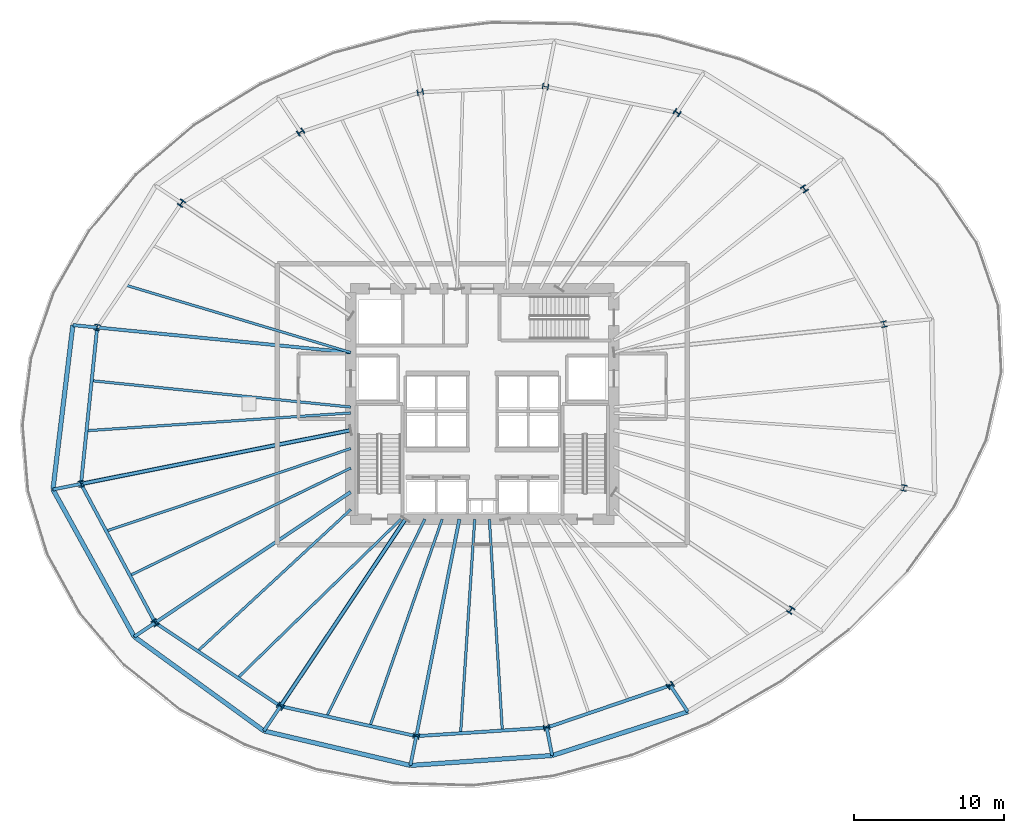
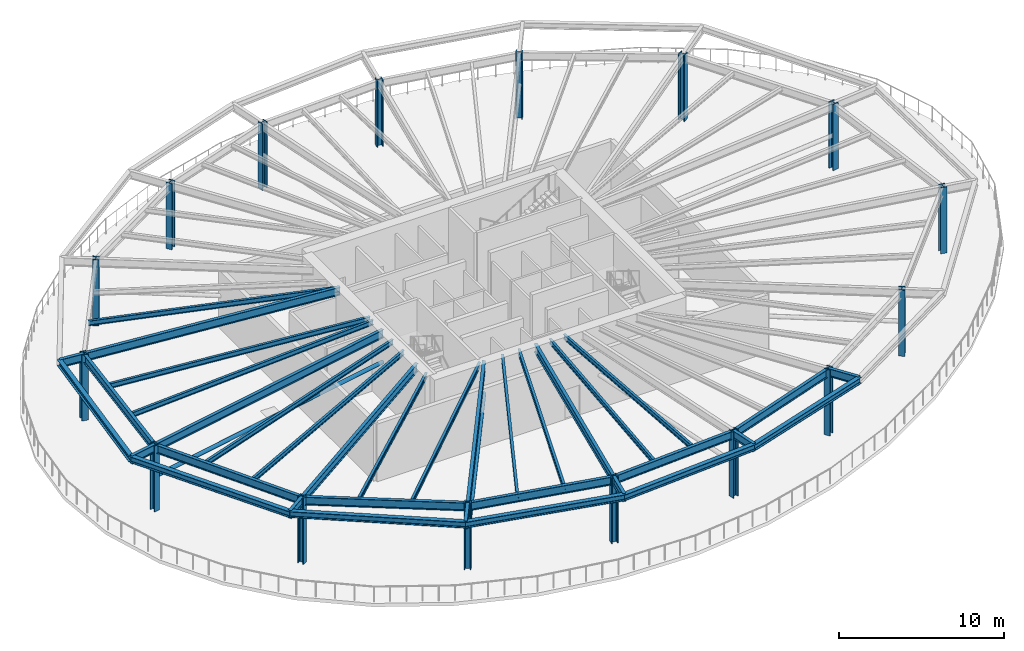
# One storey, part 1 of 9: 35 beams, 16 columns, 2 members.
"""IFC4 building model written with IfcOpenShell, lengths in metres."""

from ifc_helpers import new_model, si_unit, direction, frame, origin, origin_2d, place, context, subcontext, project, spatial, hollow_circle, i_section, extrude, source, transform, mapped, material, material_profile, profile_set, type_object, element, save


model = new_model("IFC4")

# Units and contexts
model_context = context("Model", 3, precision=1e-05, world=origin(), true_north=direction((0.0, 1.0)))
body_context = subcontext(model_context, "Body", "Model", "MODEL_VIEW")
ifc_project = project(units=[si_unit("LENGTHUNIT", "METRE"), si_unit("AREAUNIT", "SQUARE_METRE"), si_unit("VOLUMEUNIT", "CUBIC_METRE"), si_unit("PLANEANGLEUNIT", "RADIAN"), si_unit("MASSUNIT", "GRAM", prefix="KILO"), si_unit("THERMODYNAMICTEMPERATUREUNIT", "KELVIN")], contexts=[model_context])

# Site, building, storey
site_placement = place(None, origin())
site = spatial("IfcSite", under=ifc_project, at=site_placement, CompositionType="ELEMENT")
building_placement = place(site_placement, origin())
building = spatial("IfcBuilding", under=site, at=building_placement, Name="Kethvar Cultural Tower", CompositionType="ELEMENT")
storey_placement = place(building_placement, frame((0.0, 0.0, 75.199951171875)))
storey = spatial("IfcBuildingStorey", under=building, at=storey_placement, Name="L18", CompositionType="ELEMENT", Elevation=75.199951171875)

# Columns
ifc_material_1 = material(Name="Steel S460M", Category="steel")
ifc_material_profile_1 = material_profile(ifc_material_1, i_section(OverallWidth=0.412109375, OverallDepth=0.430908203125, WebThickness=0.0419921875, FlangeThickness=0.068115234375, FilletRadius=0.014892578125, at=origin_2d()), Name="Steel S460M — HD400x900")
ifc_profile_set_1 = profile_set([ifc_material_profile_1], Name="Steel S460M — HD400x900")
column_type = type_object("IfcColumnType", Name="COL-HD900", PredefinedType="COLUMN", material=ifc_profile_set_1)
shared_shape_1 = source(origin(), body_context, "Body", "SweptSolid", [
    extrude(i_section(OverallWidth=0.412109375, OverallDepth=0.430908203125, WebThickness=0.0419921875, FlangeThickness=0.068115234375, FilletRadius=0.014892578125, at=origin_2d()), origin(), (0.0, 0.0, 1.0), 4.89013671875),
])
for number, where, z_axis, x_axis, name in (
    (1, (73.65673828125, 33.14208984375, 0.0), (0.0, 0.0, 1.0), (0.980785280403, 0.195090322016, 0.0), "L18 Mega-Column MC-01"),
    (2, (68.33642578125, 42.190185546875, 0.0), (0.0, 0.0, 1.0), (0.831469612303, 0.55557023302, 0.0), "L18 Mega-Column MC-02"),
    (3, (59.824951171875, 47.293212890625, 0.0), (0.0, 0.0, 1.0), (0.55557023302, 0.831469612303, 0.0), "L18 Mega-Column MC-03"),
    (4, (51.022216796875, 49.02587890625, 0.0), (0.0, 0.0, 1.0), (0.195090322016, 0.980785280403, 0.0), "L18 Mega-Column MC-04"),
    (5, (42.651611328125, 48.65576171875, 0.0), (0.0, 0.0, 1.0), (-0.195090322016, 0.980785280403, 0.0), "L18 Mega-Column MC-05"),
    (6, (34.64599609375, 45.98974609375, 0.0), (0.0, 0.0, 1.0), (-0.55557023302, 0.831469612303, 0.0), "L18 Mega-Column MC-06"),
    (7, (26.6845703125, 41.24072265625, 0.0), (0.0, 0.0, 1.0), (-0.831469612303, 0.55557023302, 0.0), "L18 Mega-Column MC-07"),
    (8, (21.047119140625, 32.922607421875, 0.0), (0.0, 0.0, 1.0), (-0.980785280403, 0.195090322016, 0.0), "L18 Mega-Column MC-08"),
    (9, (19.9658203125, 22.46240234375, 0.0), (0.0, 0.0, 1.0), (-0.980785280403, -0.195090322016, 0.0), "L18 Mega-Column MC-09"),
    (10, (24.9248046875, 13.183349609375, 0.0), (0.0, 0.0, 1.0), (-0.831469612303, -0.55557023302, 0.0), "L18 Mega-Column MC-10"),
    (11, (33.302001953125, 7.598876953125, 0.0), (0.0, 0.0, 1.0), (-0.55557023302, -0.831469612303, 0.0), "L18 Mega-Column MC-11"),
    (12, (42.38330078125, 5.59619140625, 0.0), (0.0, 0.0, 1.0), (-0.195090322016, -0.980785280403, 0.0), "L18 Mega-Column MC-12"),
    (13, (51.10400390625, 6.16259765625, 0.0), (0.0, 0.0, 1.0), (0.195090322016, -0.980785280403, 0.0), "L18 Mega-Column MC-13"),
    (14, (59.370361328125, 8.987060546875, 0.0), (0.0, 0.0, 1.0), (0.55557023302, -0.831469612303, 0.0), "L18 Mega-Column MC-14"),
    (15, (67.41845703125, 14.023193359375, 0.0), (0.0, 0.0, 1.0), (0.831469612303, -0.55557023302, 0.0), "L18 Mega-Column MC-15"),
    (16, (74.9912109375, 22.1923828125, 0.0), (0.0, 0.0, 1.0), (0.980785280403, -0.195090322016, 0.0), "L18 Mega-Column MC-16"),
):
    element("IfcColumn", number, at=place(storey_placement, frame(where, z_axis=z_axis, x_axis=x_axis)), inside=storey, type_object=column_type, Name=name, PredefinedType="COLUMN", context=body_context, shape_type="MappedRepresentation", body=[
        mapped(shared_shape_1, transform((0.0, 0.0, 0.0), scale=1.0)),
    ])

# Beams
ifc_material_2 = material(Name="Steel S355J2", Category="steel")
ifc_material_profile_2 = material_profile(ifc_material_2, i_section(OverallWidth=0.219970703125, OverallDepth=0.60009765625, WebThickness=0.011962890625, FlangeThickness=0.01904296875, FilletRadius=0.02392578125, at=origin_2d()), Name="Steel S355J2 — IPE600")
ifc_profile_set_2 = profile_set([ifc_material_profile_2], Name="Steel S355J2 — IPE600")
beam_type_1 = type_object("IfcBeamType", Name="BM-IPE600", PredefinedType="BEAM", material=ifc_profile_set_2)
shared_shape_2 = source(origin(), body_context, "Body", "SweptSolid", [
    extrude(i_section(OverallWidth=0.219970703125, OverallDepth=0.60009765625, WebThickness=0.011962890625, FlangeThickness=0.01904296875, FilletRadius=0.02392578125, at=origin_2d()), origin(), (0.0, 0.0, 1.0), 17.03515625),
])
beam_1_placement = place(storey_placement, frame((38.0, 31.25, 4.588134765625), z_axis=(-0.995168138859, 0.098185413375, 0.0), x_axis=(-0.098185413375, -0.995168138859, 0.0)))
element("IfcBeam", 17, at=beam_1_placement, inside=storey, type_object=beam_type_1, Name="L18 Primary Radial Beam RB-08", PredefinedType="BEAM", context=body_context, shape_type="MappedRepresentation", body=[
    mapped(shared_shape_2, transform((0.0, 0.0, 0.0), scale=1.0)),
])
shared_shape_3 = source(origin(), body_context, "Body", "SweptSolid", [
    extrude(i_section(OverallWidth=0.219970703125, OverallDepth=0.60009765625, WebThickness=0.011962890625, FlangeThickness=0.01904296875, FilletRadius=0.02392578125, at=origin_2d()), origin(), (0.0, 0.0, 1.0), 18.387451171875),
])
beam_2_placement = place(storey_placement, frame((38.0, 26.049560546875, 4.588134765625), z_axis=(-0.980785937774, -0.195087017162, 0.0), x_axis=(0.195087017162, -0.980785937774, 0.0)))
element("IfcBeam", 18, at=beam_2_placement, inside=storey, type_object=beam_type_1, Name="L18 Primary Radial Beam RB-09", PredefinedType="BEAM", context=body_context, shape_type="MappedRepresentation", body=[
    mapped(shared_shape_3, transform((0.0, 0.0, 0.0), scale=1.0)),
])
shared_shape_4 = source(origin(), body_context, "Body", "SweptSolid", [
    extrude(i_section(OverallWidth=0.219970703125, OverallDepth=0.60009765625, WebThickness=0.011962890625, FlangeThickness=0.01904296875, FilletRadius=0.02392578125, at=origin_2d()), origin(), (0.0, 0.0, 1.0), 15.725341796875),
])
beam_3_placement = place(storey_placement, frame((38.0, 21.919921875, 4.588134765625), z_axis=(-0.831469433959, -0.555570499929, 0.0), x_axis=(0.555570499929, -0.831469433959, 0.0)))
element("IfcBeam", 19, at=beam_3_placement, inside=storey, type_object=beam_type_1, Name="L18 Primary Radial Beam RB-10", PredefinedType="BEAM", context=body_context, shape_type="MappedRepresentation", body=[
    mapped(shared_shape_4, transform((0.0, 0.0, 0.0), scale=1.0)),
])
shared_shape_5 = source(origin(), body_context, "Body", "SweptSolid", [
    extrude(i_section(OverallWidth=0.219970703125, OverallDepth=0.60009765625, WebThickness=0.011962890625, FlangeThickness=0.01904296875, FilletRadius=0.02392578125, at=origin_2d()), origin(), (0.0, 0.0, 1.0), 15.03515625),
])
beam_4_placement = place(storey_placement, frame((41.655029296875, 20.10009765625, 4.588134765625), z_axis=(-0.555569254616, -0.83147026605, 0.0), x_axis=(0.83147026605, -0.555569254616, 0.0)))
element("IfcBeam", 20, at=beam_4_placement, inside=storey, type_object=beam_type_1, Name="L18 Primary Radial Beam RB-11", PredefinedType="BEAM", context=body_context, shape_type="MappedRepresentation", body=[
    mapped(shared_shape_5, transform((0.0, 0.0, 0.0), scale=1.0)),
])
shared_shape_6 = source(origin(), body_context, "Body", "SweptSolid", [
    extrude(i_section(OverallWidth=0.219970703125, OverallDepth=0.60009765625, WebThickness=0.011962890625, FlangeThickness=0.01904296875, FilletRadius=0.02392578125, at=origin_2d()), origin(), (0.0, 0.0, 1.0), 14.7880859375),
])
beam_5_placement = place(storey_placement, frame((45.268310546875, 20.10009765625, 4.588134765625), z_axis=(-0.1950905456, -0.98078523593, 0.0), x_axis=(0.98078523593, -0.1950905456, 0.0)))
element("IfcBeam", 21, at=beam_5_placement, inside=storey, type_object=beam_type_1, Name="L18 Primary Radial Beam RB-12", PredefinedType="BEAM", context=body_context, shape_type="MappedRepresentation", body=[
    mapped(shared_shape_6, transform((0.0, 0.0, 0.0), scale=1.0)),
])
ifc_material_profile_3 = material_profile(ifc_material_2, i_section(OverallWidth=0.169921875, OverallDepth=0.360107421875, WebThickness=0.008056640625, FlangeThickness=0.0126953125, FilletRadius=0.01806640625, at=origin_2d()), Name="Steel S355J2 — IPE360")
ifc_profile_set_3 = profile_set([ifc_material_profile_3], Name="Steel S355J2 — IPE360")
beam_type_2 = type_object("IfcBeamType", Name="BM-J360", PredefinedType="JOIST", material=ifc_profile_set_3)
shared_shape_7 = source(origin(), body_context, "Body", "SweptSolid", [
    extrude(i_section(OverallWidth=0.169921875, OverallDepth=0.360107421875, WebThickness=0.008056640625, FlangeThickness=0.0126953125, FilletRadius=0.01806640625, at=origin_2d()), origin(), (0.0, 0.0, 1.0), 15.6953125),
])
beam_6_placement = place(storey_placement, frame((38.0, 31.25, 4.7080078125), z_axis=(-0.958003344758, 0.28675702508, 0.0), x_axis=(-0.28675702508, -0.958003344758, 0.0)))
element("IfcBeam", 22, at=beam_6_placement, inside=storey, type_object=beam_type_2, Name="L18 Composite Floor Joist J-07B", PredefinedType="JOIST", context=body_context, shape_type="MappedRepresentation", body=[
    mapped(shared_shape_7, transform((0.0, 0.0, 0.0), scale=1.0)),
])
shared_shape_8 = source(origin(), body_context, "Body", "SweptSolid", [
    extrude(i_section(OverallWidth=0.219970703125, OverallDepth=0.60009765625, WebThickness=0.011962890625, FlangeThickness=0.01904296875, FilletRadius=0.02392578125, at=origin_2d()), origin(), (0.0, 0.0, 1.0), 10.515869140625),
])
beam_7_placement = place(storey_placement, frame((21.047119140625, 32.922607421875, 4.588134765625), z_axis=(-0.102824694973, -0.994699493367, 0.0), x_axis=(0.994699493367, -0.102824694973, 0.0)))
element("IfcBeam", 23, at=beam_7_placement, inside=storey, type_object=beam_type_1, Name="L18 Column Ring Tie Beam CR-08", PredefinedType="BEAM", context=body_context, shape_type="MappedRepresentation", body=[
    mapped(shared_shape_8, transform((0.0, 0.0, 0.0), scale=1.0)),
])
shared_shape_9 = source(origin(), body_context, "Body", "SweptSolid", [
    extrude(i_section(OverallWidth=0.169921875, OverallDepth=0.360107421875, WebThickness=0.008056640625, FlangeThickness=0.0126953125, FilletRadius=0.01806640625, at=origin_2d()), origin(), (0.0, 0.0, 1.0), 17.410400390625),
])
beam_8_placement = place(storey_placement, frame((38.0, 27.60009765625, 4.7080078125), z_axis=(-0.99484162516, 0.101440331474, 0.0), x_axis=(-0.101440331474, -0.99484162516, 0.0)))
element("IfcBeam", 24, at=beam_8_placement, inside=storey, type_object=beam_type_2, Name="L18 Composite Floor Joist J-08A", PredefinedType="JOIST", context=body_context, shape_type="MappedRepresentation", body=[
    mapped(shared_shape_9, transform((0.0, 0.0, 0.0), scale=1.0)),
])
shared_shape_10 = source(origin(), body_context, "Body", "SweptSolid", [
    extrude(i_section(OverallWidth=0.169921875, OverallDepth=0.360107421875, WebThickness=0.008056640625, FlangeThickness=0.0126953125, FilletRadius=0.01806640625, at=origin_2d()), origin(), (0.0, 0.0, 1.0), 17.70654296875),
])
beam_9_placement = place(storey_placement, frame((38.0, 27.207763671875, 4.7080078125), z_axis=(-0.997742984455, -0.067148618533, 0.0), x_axis=(0.067148618533, -0.997742984455, 0.0)))
element("IfcBeam", 25, at=beam_9_placement, inside=storey, type_object=beam_type_2, Name="L18 Composite Floor Joist J-08B", PredefinedType="JOIST", context=body_context, shape_type="MappedRepresentation", body=[
    mapped(shared_shape_10, transform((0.0, 0.0, 0.0), scale=1.0)),
])
shared_shape_11 = source(origin(), body_context, "Body", "SweptSolid", [
    extrude(i_section(OverallWidth=0.219970703125, OverallDepth=0.60009765625, WebThickness=0.011962890625, FlangeThickness=0.01904296875, FilletRadius=0.02392578125, at=origin_2d()), origin(), (0.0, 0.0, 1.0), 10.52099609375),
])
beam_10_placement = place(storey_placement, frame((19.9658203125, 22.46240234375, 4.588134765625), z_axis=(0.471339616984, -0.881951793162, 0.0), x_axis=(0.881951793162, 0.471339616984, 0.0)))
element("IfcBeam", 26, at=beam_10_placement, inside=storey, type_object=beam_type_1, Name="L18 Column Ring Tie Beam CR-09", PredefinedType="BEAM", context=body_context, shape_type="MappedRepresentation", body=[
    mapped(shared_shape_11, transform((0.0, 0.0, 0.0), scale=1.0)),
])
shared_shape_12 = source(origin(), body_context, "Body", "SweptSolid", [
    extrude(i_section(OverallWidth=0.169921875, OverallDepth=0.360107421875, WebThickness=0.008056640625, FlangeThickness=0.0126953125, FilletRadius=0.01806640625, at=origin_2d()), origin(), (0.0, 0.0, 1.0), 17.255126953125),
])
beam_11_placement = place(storey_placement, frame((38.0, 24.828369140625, 4.7080078125), z_axis=(-0.947435140552, -0.319947893332, 0.0), x_axis=(0.319947893332, -0.947435140552, 0.0)))
element("IfcBeam", 27, at=beam_11_placement, inside=storey, type_object=beam_type_2, Name="L18 Composite Floor Joist J-09A", PredefinedType="JOIST", context=body_context, shape_type="MappedRepresentation", body=[
    mapped(shared_shape_12, transform((0.0, 0.0, 0.0), scale=1.0)),
])
shared_shape_13 = source(origin(), body_context, "Body", "SweptSolid", [
    extrude(i_section(OverallWidth=0.169921875, OverallDepth=0.360107421875, WebThickness=0.008056640625, FlangeThickness=0.0126953125, FilletRadius=0.01806640625, at=origin_2d()), origin(), (0.0, 0.0, 1.0), 16.4150390625),
])
beam_12_placement = place(storey_placement, frame((38.0, 23.51904296875, 4.7080078125), z_axis=(-0.899246473736, -0.437442315595, 0.0), x_axis=(0.437442315595, -0.899246473736, 0.0)))
element("IfcBeam", 28, at=beam_12_placement, inside=storey, type_object=beam_type_2, Name="L18 Composite Floor Joist J-09B", PredefinedType="JOIST", context=body_context, shape_type="MappedRepresentation", body=[
    mapped(shared_shape_13, transform((0.0, 0.0, 0.0), scale=1.0)),
])
shared_shape_14 = source(origin(), body_context, "Body", "SweptSolid", [
    extrude(i_section(OverallWidth=0.219970703125, OverallDepth=0.60009765625, WebThickness=0.011962890625, FlangeThickness=0.01904296875, FilletRadius=0.02392578125, at=origin_2d()), origin(), (0.0, 0.0, 1.0), 10.06787109375),
])
beam_13_placement = place(storey_placement, frame((24.9248046875, 13.183349609375, 4.588134765625), z_axis=(0.832065216665, -0.554677812083, 0.0), x_axis=(0.554677812083, 0.832065216665, 0.0)))
element("IfcBeam", 29, at=beam_13_placement, inside=storey, type_object=beam_type_1, Name="L18 Column Ring Tie Beam CR-10", PredefinedType="BEAM", context=body_context, shape_type="MappedRepresentation", body=[
    mapped(shared_shape_14, transform((0.0, 0.0, 0.0), scale=1.0)),
])
shared_shape_15 = source(origin(), body_context, "Body", "SweptSolid", [
    extrude(i_section(OverallWidth=0.169921875, OverallDepth=0.360107421875, WebThickness=0.008056640625, FlangeThickness=0.0126953125, FilletRadius=0.01806640625, at=origin_2d()), origin(), (0.0, 0.0, 1.0), 13.93505859375),
])
beam_14_placement = place(storey_placement, frame((38.0, 20.75, 4.7080078125), z_axis=(-0.733909459287, -0.679247308106, 0.0), x_axis=(0.679247308106, -0.733909459287, 0.0)))
element("IfcBeam", 30, at=beam_14_placement, inside=storey, type_object=beam_type_2, Name="L18 Composite Floor Joist J-10A", PredefinedType="JOIST", context=body_context, shape_type="MappedRepresentation", body=[
    mapped(shared_shape_15, transform((0.0, 0.0, 0.0), scale=1.0)),
])
shared_shape_16 = source(origin(), body_context, "Body", "SweptSolid", [
    extrude(i_section(OverallWidth=0.169921875, OverallDepth=0.360107421875, WebThickness=0.008056640625, FlangeThickness=0.0126953125, FilletRadius=0.01806640625, at=origin_2d()), origin(), (0.0, 0.0, 1.0), 15.20361328125),
])
beam_15_placement = place(storey_placement, frame((41.35009765625, 20.10009765625, 4.7080078125), z_axis=(-0.716707709325, -0.697373687053, 0.0), x_axis=(0.697373687053, -0.716707709325, 0.0)))
element("IfcBeam", 31, at=beam_15_placement, inside=storey, type_object=beam_type_2, Name="L18 Composite Floor Joist J-10B", PredefinedType="JOIST", context=body_context, shape_type="MappedRepresentation", body=[
    mapped(shared_shape_16, transform((0.0, 0.0, 0.0), scale=1.0)),
])
shared_shape_17 = source(origin(), body_context, "Body", "SweptSolid", [
    extrude(i_section(OverallWidth=0.219970703125, OverallDepth=0.60009765625, WebThickness=0.011962890625, FlangeThickness=0.01904296875, FilletRadius=0.02392578125, at=origin_2d()), origin(), (0.0, 0.0, 1.0), 9.299560546875),
])
beam_16_placement = place(storey_placement, frame((33.302001953125, 7.598876953125, 4.588134765625), z_axis=(0.976536034872, -0.21535406334, 0.0), x_axis=(0.21535406334, 0.976536034872, 0.0)))
element("IfcBeam", 32, at=beam_16_placement, inside=storey, type_object=beam_type_1, Name="L18 Column Ring Tie Beam CR-11", PredefinedType="BEAM", context=body_context, shape_type="MappedRepresentation", body=[
    mapped(shared_shape_17, transform((0.0, 0.0, 0.0), scale=1.0)),
])
shared_shape_18 = source(origin(), body_context, "Body", "SweptSolid", [
    extrude(i_section(OverallWidth=0.169921875, OverallDepth=0.360107421875, WebThickness=0.008056640625, FlangeThickness=0.0126953125, FilletRadius=0.01806640625, at=origin_2d()), origin(), (0.0, 0.0, 1.0), 14.729248046875),
])
beam_17_placement = place(storey_placement, frame((42.961181640625, 20.10009765625, 4.7080078125), z_axis=(-0.446152473361, -0.894956965733, 0.0), x_axis=(0.894956965733, -0.446152473361, 0.0)))
element("IfcBeam", 33, at=beam_17_placement, inside=storey, type_object=beam_type_2, Name="L18 Composite Floor Joist J-11A", PredefinedType="JOIST", context=body_context, shape_type="MappedRepresentation", body=[
    mapped(shared_shape_18, transform((0.0, 0.0, 0.0), scale=1.0)),
])
shared_shape_19 = source(origin(), body_context, "Body", "SweptSolid", [
    extrude(i_section(OverallWidth=0.169921875, OverallDepth=0.360107421875, WebThickness=0.008056640625, FlangeThickness=0.0126953125, FilletRadius=0.01806640625, at=origin_2d()), origin(), (0.0, 0.0, 1.0), 14.63916015625),
])
beam_18_placement = place(storey_placement, frame((44.115234375, 20.10009765625, 4.7080078125), z_axis=(-0.329226238223, -0.94425107046, 0.0), x_axis=(0.94425107046, -0.329226238223, 0.0)))
element("IfcBeam", 34, at=beam_18_placement, inside=storey, type_object=beam_type_2, Name="L18 Composite Floor Joist J-11B", PredefinedType="JOIST", context=body_context, shape_type="MappedRepresentation", body=[
    mapped(shared_shape_19, transform((0.0, 0.0, 0.0), scale=1.0)),
])
shared_shape_20 = source(origin(), body_context, "Body", "SweptSolid", [
    extrude(i_section(OverallWidth=0.219970703125, OverallDepth=0.60009765625, WebThickness=0.011962890625, FlangeThickness=0.01904296875, FilletRadius=0.02392578125, at=origin_2d()), origin(), (0.0, 0.0, 1.0), 8.739013671875),
])
beam_19_placement = place(storey_placement, frame((42.38330078125, 5.59619140625, 4.588134765625), z_axis=(0.997897424084, 0.064813046581, 0.0), x_axis=(-0.064813046581, 0.997897424084, 0.0)))
element("IfcBeam", 35, at=beam_19_placement, inside=storey, type_object=beam_type_1, Name="L18 Column Ring Tie Beam CR-12", PredefinedType="BEAM", context=body_context, shape_type="MappedRepresentation", body=[
    mapped(shared_shape_20, transform((0.0, 0.0, 0.0), scale=1.0)),
])
shared_shape_21 = source(origin(), body_context, "Body", "SweptSolid", [
    extrude(i_section(OverallWidth=0.169921875, OverallDepth=0.360107421875, WebThickness=0.008056640625, FlangeThickness=0.0126953125, FilletRadius=0.01806640625, at=origin_2d()), origin(), (0.0, 0.0, 1.0), 14.34228515625),
])
beam_20_placement = place(storey_placement, frame((46.292236328125, 20.10009765625, 4.7080078125), z_axis=(-0.065808348808, -0.997832281111, 0.0), x_axis=(0.997832281111, -0.065808348808, 0.0)))
element("IfcBeam", 36, at=beam_20_placement, inside=storey, type_object=beam_type_2, Name="L18 Composite Floor Joist J-12A", PredefinedType="JOIST", context=body_context, shape_type="MappedRepresentation", body=[
    mapped(shared_shape_21, transform((0.0, 0.0, 0.0), scale=1.0)),
])
shared_shape_22 = source(origin(), body_context, "Body", "SweptSolid", [
    extrude(i_section(OverallWidth=0.169921875, OverallDepth=0.360107421875, WebThickness=0.008056640625, FlangeThickness=0.0126953125, FilletRadius=0.01806640625, at=origin_2d()), origin(), (0.0, 0.0, 1.0), 14.156494140625),
])
beam_21_placement = place(storey_placement, frame((47.272216796875, 20.10009765625, 4.7080078125), z_axis=(0.06122296991, -0.998124114505, 0.0), x_axis=(0.998124114505, 0.06122296991, 0.0)))
element("IfcBeam", 37, at=beam_21_placement, inside=storey, type_object=beam_type_2, Name="L18 Composite Floor Joist J-12B", PredefinedType="JOIST", context=body_context, shape_type="MappedRepresentation", body=[
    mapped(shared_shape_22, transform((0.0, 0.0, 0.0), scale=1.0)),
])
shared_shape_23 = source(origin(), body_context, "Body", "SweptSolid", [
    extrude(i_section(OverallWidth=0.219970703125, OverallDepth=0.60009765625, WebThickness=0.011962890625, FlangeThickness=0.01904296875, FilletRadius=0.02392578125, at=origin_2d()), origin(), (0.0, 0.0, 1.0), 8.735595703125),
])
beam_22_placement = place(storey_placement, frame((51.10400390625, 6.16259765625, 4.588134765625), z_axis=(0.946286676119, 0.323328821171, 0.0), x_axis=(-0.323328821171, 0.946286676119, 0.0)))
element("IfcBeam", 38, at=beam_22_placement, inside=storey, type_object=beam_type_1, Name="L18 Column Ring Tie Beam CR-13", PredefinedType="BEAM", context=body_context, shape_type="MappedRepresentation", body=[
    mapped(shared_shape_23, transform((0.0, 0.0, 0.0), scale=1.0)),
])
shared_shape_24 = source(origin(), body_context, "Body", "SweptSolid", [
    extrude(i_section(OverallWidth=0.219970703125, OverallDepth=0.60009765625, WebThickness=0.011962890625, FlangeThickness=0.01904296875, FilletRadius=0.02392578125, at=origin_2d()), origin(), (0.0, 0.0, 1.0), 1.6328125),
])
beam_23_placement = place(storey_placement, frame((21.047119140625, 32.922607421875, 4.588134765625), z_axis=(-0.995163684551, 0.098230549992, 0.0), x_axis=(-0.098230549992, -0.995163684551, 0.0)))
element("IfcBeam", 39, at=beam_23_placement, inside=storey, type_object=beam_type_1, Name="L18 Perimeter Cantilever Beam RC-08", PredefinedType="BEAM", context=body_context, shape_type="MappedRepresentation", body=[
    mapped(shared_shape_24, transform((0.0, 0.0, 0.0), scale=1.0)),
])
shared_shape_25 = source(origin(), body_context, "Body", "SweptSolid", [
    extrude(i_section(OverallWidth=0.219970703125, OverallDepth=0.60009765625, WebThickness=0.011962890625, FlangeThickness=0.01904296875, FilletRadius=0.02392578125, at=origin_2d()), origin(), (0.0, 0.0, 1.0), 1.9130859375),
])
beam_24_placement = place(storey_placement, frame((19.9658203125, 22.46240234375, 4.588134765625), z_axis=(-0.980776526101, -0.195134327704, 0.0), x_axis=(0.195134327704, -0.980776526101, 0.0)))
element("IfcBeam", 40, at=beam_24_placement, inside=storey, type_object=beam_type_1, Name="L18 Perimeter Cantilever Beam RC-09", PredefinedType="BEAM", context=body_context, shape_type="MappedRepresentation", body=[
    mapped(shared_shape_25, transform((0.0, 0.0, 0.0), scale=1.0)),
])
shared_shape_26 = source(origin(), body_context, "Body", "SweptSolid", [
    extrude(i_section(OverallWidth=0.219970703125, OverallDepth=0.60009765625, WebThickness=0.011962890625, FlangeThickness=0.01904296875, FilletRadius=0.02392578125, at=origin_2d()), origin(), (0.0, 0.0, 1.0), 1.68359375),
])
beam_25_placement = place(storey_placement, frame((24.9248046875, 13.183349609375, 4.588134765625), z_axis=(-0.831492139761, -0.555536516816, 0.0), x_axis=(0.555536516816, -0.831492139761, 0.0)))
element("IfcBeam", 41, at=beam_25_placement, inside=storey, type_object=beam_type_1, Name="L18 Perimeter Cantilever Beam RC-10", PredefinedType="BEAM", context=body_context, shape_type="MappedRepresentation", body=[
    mapped(shared_shape_26, transform((0.0, 0.0, 0.0), scale=1.0)),
])
shared_shape_27 = source(origin(), body_context, "Body", "SweptSolid", [
    extrude(i_section(OverallWidth=0.219970703125, OverallDepth=0.60009765625, WebThickness=0.011962890625, FlangeThickness=0.01904296875, FilletRadius=0.02392578125, at=origin_2d()), origin(), (0.0, 0.0, 1.0), 1.98828125),
])
beam_26_placement = place(storey_placement, frame((33.302001953125, 7.598876953125, 4.588134765625), z_axis=(-0.555634956167, -0.831426362034, 0.0), x_axis=(0.831426362034, -0.555634956167, 0.0)))
element("IfcBeam", 42, at=beam_26_placement, inside=storey, type_object=beam_type_1, Name="L18 Perimeter Cantilever Beam RC-11", PredefinedType="BEAM", context=body_context, shape_type="MappedRepresentation", body=[
    mapped(shared_shape_27, transform((0.0, 0.0, 0.0), scale=1.0)),
])
shared_shape_28 = source(origin(), body_context, "Body", "SweptSolid", [
    extrude(i_section(OverallWidth=0.219970703125, OverallDepth=0.60009765625, WebThickness=0.011962890625, FlangeThickness=0.01904296875, FilletRadius=0.02392578125, at=origin_2d()), origin(), (0.0, 0.0, 1.0), 1.996337890625),
])
beam_27_placement = place(storey_placement, frame((42.38330078125, 5.59619140625, 4.588134765625), z_axis=(-0.195057714054, -0.980791765967, 0.0), x_axis=(0.980791765967, -0.195057714054, 0.0)))
element("IfcBeam", 43, at=beam_27_placement, inside=storey, type_object=beam_type_1, Name="L18 Perimeter Cantilever Beam RC-12", PredefinedType="BEAM", context=body_context, shape_type="MappedRepresentation", body=[
    mapped(shared_shape_28, transform((0.0, 0.0, 0.0), scale=1.0)),
])
shared_shape_29 = source(origin(), body_context, "Body", "SweptSolid", [
    extrude(i_section(OverallWidth=0.219970703125, OverallDepth=0.60009765625, WebThickness=0.011962890625, FlangeThickness=0.01904296875, FilletRadius=0.02392578125, at=origin_2d()), origin(), (0.0, 0.0, 1.0), 1.896240234375),
])
beam_28_placement = place(storey_placement, frame((51.10400390625, 6.16259765625, 4.588134765625), z_axis=(0.195051382654, -0.98079302512, 0.0), x_axis=(0.98079302512, 0.195051382654, 0.0)))
element("IfcBeam", 44, at=beam_28_placement, inside=storey, type_object=beam_type_1, Name="L18 Perimeter Cantilever Beam RC-13", PredefinedType="BEAM", context=body_context, shape_type="MappedRepresentation", body=[
    mapped(shared_shape_29, transform((0.0, 0.0, 0.0), scale=1.0)),
])
shared_shape_30 = source(origin(), body_context, "Body", "SweptSolid", [
    extrude(i_section(OverallWidth=0.219970703125, OverallDepth=0.60009765625, WebThickness=0.011962890625, FlangeThickness=0.01904296875, FilletRadius=0.02392578125, at=origin_2d()), origin(), (0.0, 0.0, 1.0), 2.1123046875),
])
beam_29_placement = place(storey_placement, frame((59.370361328125, 8.987060546875, 4.588134765625), z_axis=(0.555580051416, -0.831463051776, 0.0), x_axis=(0.831463051776, 0.555580051416, 0.0)))
element("IfcBeam", 45, at=beam_29_placement, inside=storey, type_object=beam_type_1, Name="L18 Perimeter Cantilever Beam RC-14", PredefinedType="BEAM", context=body_context, shape_type="MappedRepresentation", body=[
    mapped(shared_shape_30, transform((0.0, 0.0, 0.0), scale=1.0)),
])
ifc_material_profile_4 = material_profile(ifc_material_2, i_section(OverallWidth=0.300048828125, OverallDepth=0.449951171875, WebThickness=0.013916015625, FlangeThickness=0.02587890625, FilletRadius=0.027099609375, at=origin_2d()), Name="Steel S355J2 — HEB450")
ifc_profile_set_4 = profile_set([ifc_material_profile_4], Name="Steel S355J2 — HEB450")
beam_type_3 = type_object("IfcBeamType", Name="BM-SP450", PredefinedType="SPANDREL", material=ifc_profile_set_4)
shared_shape_31 = source(origin(), body_context, "Body", "SweptSolid", [
    extrude(i_section(OverallWidth=0.300048828125, OverallDepth=0.449951171875, WebThickness=0.013916015625, FlangeThickness=0.02587890625, FilletRadius=0.027099609375, at=origin_2d()), origin(), (0.0, 0.0, 1.0), 11.074462890625),
])
beam_30_placement = place(storey_placement, frame((19.422119140625, 33.0830078125, 4.6630859375), z_axis=(-0.120324783768, -0.992734580042, 0.0), x_axis=(0.992734580042, -0.120324783768, 0.0)))
element("IfcBeam", 46, at=beam_30_placement, inside=storey, type_object=beam_type_3, Name="L18 Perimeter Spandrel Beam SP-08", PredefinedType="SPANDREL", context=body_context, shape_type="MappedRepresentation", body=[
    mapped(shared_shape_31, transform((0.0, 0.0, 0.0), scale=1.0)),
])
shared_shape_32 = source(origin(), body_context, "Body", "SweptSolid", [
    extrude(i_section(OverallWidth=0.300048828125, OverallDepth=0.449951171875, WebThickness=0.013916015625, FlangeThickness=0.02587890625, FilletRadius=0.027099609375, at=origin_2d()), origin(), (0.0, 0.0, 1.0), 11.2421875),
])
beam_31_placement = place(storey_placement, frame((18.089599609375, 22.089111328125, 4.6630859375), z_axis=(0.483469394953, -0.875361264932, 0.0), x_axis=(0.875361264932, 0.483469394953, 0.0)))
element("IfcBeam", 47, at=beam_31_placement, inside=storey, type_object=beam_type_3, Name="L18 Perimeter Spandrel Beam SP-09", PredefinedType="SPANDREL", context=body_context, shape_type="MappedRepresentation", body=[
    mapped(shared_shape_32, transform((0.0, 0.0, 0.0), scale=1.0)),
])
shared_shape_33 = source(origin(), body_context, "Body", "SweptSolid", [
    extrude(i_section(OverallWidth=0.300048828125, OverallDepth=0.449951171875, WebThickness=0.013916015625, FlangeThickness=0.02587890625, FilletRadius=0.027099609375, at=origin_2d()), origin(), (0.0, 0.0, 1.0), 10.720458984375),
])
beam_32_placement = place(storey_placement, frame((23.52490234375, 12.248046875, 4.6630859375), z_axis=(0.808954652518, -0.58787104893, 0.0), x_axis=(0.58787104893, 0.808954652518, 0.0)))
element("IfcBeam", 48, at=beam_32_placement, inside=storey, type_object=beam_type_3, Name="L18 Perimeter Spandrel Beam SP-10", PredefinedType="SPANDREL", context=body_context, shape_type="MappedRepresentation", body=[
    mapped(shared_shape_33, transform((0.0, 0.0, 0.0), scale=1.0)),
])
shared_shape_34 = source(origin(), body_context, "Body", "SweptSolid", [
    extrude(i_section(OverallWidth=0.300048828125, OverallDepth=0.449951171875, WebThickness=0.013916015625, FlangeThickness=0.02587890625, FilletRadius=0.027099609375, at=origin_2d()), origin(), (0.0, 0.0, 1.0), 10.064697265625),
])
beam_33_placement = place(storey_placement, frame((32.197265625, 5.94580078125, 4.6630859375), z_axis=(0.973361149291, -0.2292772842, 0.0), x_axis=(0.2292772842, 0.973361149291, 0.0)))
element("IfcBeam", 49, at=beam_33_placement, inside=storey, type_object=beam_type_3, Name="L18 Perimeter Spandrel Beam SP-11", PredefinedType="SPANDREL", context=body_context, shape_type="MappedRepresentation", body=[
    mapped(shared_shape_34, transform((0.0, 0.0, 0.0), scale=1.0)),
])
shared_shape_35 = source(origin(), body_context, "Body", "SweptSolid", [
    extrude(i_section(OverallWidth=0.300048828125, OverallDepth=0.449951171875, WebThickness=0.013916015625, FlangeThickness=0.02587890625, FilletRadius=0.027099609375, at=origin_2d()), origin(), (0.0, 0.0, 1.0), 9.503173828125),
])
beam_34_placement = place(storey_placement, frame((41.993896484375, 3.63818359375, 4.6630859375), z_axis=(0.997551982922, 0.069928830737, 0.0), x_axis=(-0.069928830737, 0.997551982922, 0.0)))
element("IfcBeam", 50, at=beam_34_placement, inside=storey, type_object=beam_type_3, Name="L18 Perimeter Spandrel Beam SP-12", PredefinedType="SPANDREL", context=body_context, shape_type="MappedRepresentation", body=[
    mapped(shared_shape_35, transform((0.0, 0.0, 0.0), scale=1.0)),
])
shared_shape_36 = source(origin(), body_context, "Body", "SweptSolid", [
    extrude(i_section(OverallWidth=0.300048828125, OverallDepth=0.449951171875, WebThickness=0.013916015625, FlangeThickness=0.02587890625, FilletRadius=0.027099609375, at=origin_2d()), origin(), (0.0, 0.0, 1.0), 9.531005859375),
])
beam_35_placement = place(storey_placement, frame((51.473876953125, 4.302734375, 4.6630859375), z_axis=(0.951642685925, 0.307207093545, 0.0), x_axis=(-0.307207093545, 0.951642685925, 0.0)))
element("IfcBeam", 51, at=beam_35_placement, inside=storey, type_object=beam_type_3, Name="L18 Perimeter Spandrel Beam SP-13", PredefinedType="SPANDREL", context=body_context, shape_type="MappedRepresentation", body=[
    mapped(shared_shape_36, transform((0.0, 0.0, 0.0), scale=1.0)),
])

# Members
ifc_material_profile_5 = material_profile(ifc_material_2, hollow_circle(Radius=0.136474609375, WallThickness=0.012451171875, at=origin_2d()), Name="Steel S355J2 — CHS273x12.5")
ifc_profile_set_5 = profile_set([ifc_material_profile_5], Name="Steel S355J2 — CHS273x12.5")
member_type = type_object("IfcMemberType", Name="MB-WIND-STR", PredefinedType="STRUT", material=ifc_profile_set_5)
shared_shape_37 = source(origin(), body_context, "Body", "SweptSolid", [
    extrude(hollow_circle(Radius=0.136474609375, WallThickness=0.012451171875, at=origin_2d()), origin(), (0.0, 0.0, 1.0), 18.387451171875),
])
member_1_placement = place(storey_placement, frame((38.0, 26.049560546875, 2.445068359375), z_axis=(-0.980785937774, -0.195087017162, 0.0), x_axis=(0.195087017162, -0.980785937774, 0.0)))
element("IfcMember", 52, at=member_1_placement, inside=storey, type_object=member_type, Name="L18 Wind-Floor Tie Strut WS-05", PredefinedType="STRUT", context=body_context, shape_type="MappedRepresentation", body=[
    mapped(shared_shape_37, transform((0.0, 0.0, 0.0), scale=1.0)),
])
shared_shape_38 = source(origin(), body_context, "Body", "SweptSolid", [
    extrude(hollow_circle(Radius=0.136474609375, WallThickness=0.012451171875, at=origin_2d()), origin(), (0.0, 0.0, 1.0), 15.03515625),
])
member_2_placement = place(storey_placement, frame((41.655029296875, 20.10009765625, 2.445068359375), z_axis=(-0.555569254616, -0.83147026605, 0.0), x_axis=(0.83147026605, -0.555569254616, 0.0)))
element("IfcMember", 53, at=member_2_placement, inside=storey, type_object=member_type, Name="L18 Wind-Floor Tie Strut WS-06", PredefinedType="STRUT", context=body_context, shape_type="MappedRepresentation", body=[
    mapped(shared_shape_38, transform((0.0, 0.0, 0.0), scale=1.0)),
])

save(model, "model.ifc")
